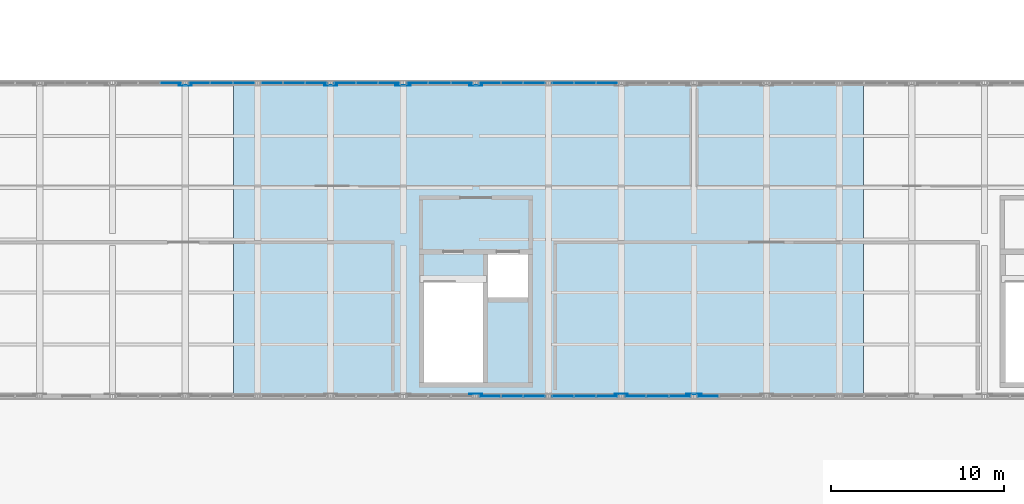
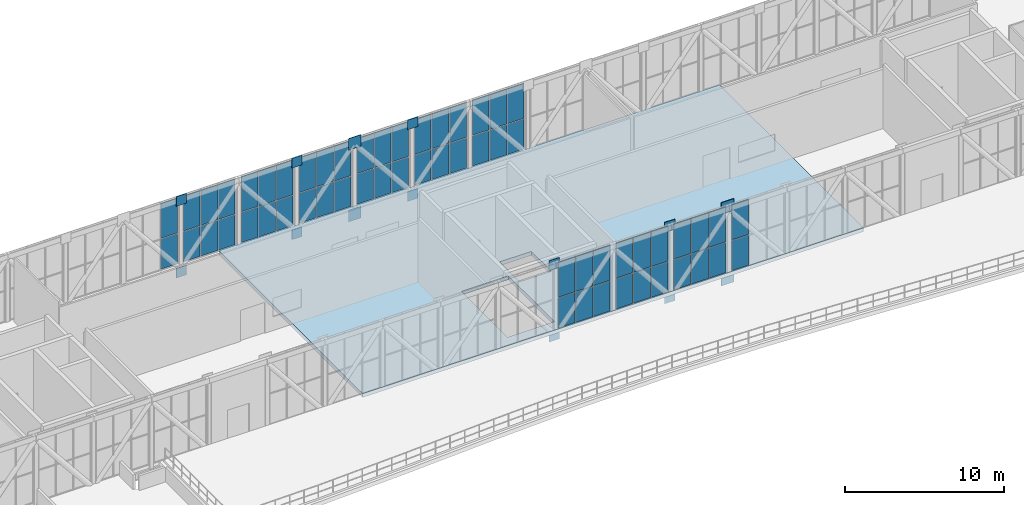
# One storey, part 48 of 58: 72 plates, 1 slab, 11 elements without a shape of their own.
"""IFC4 building model written with IfcOpenShell, lengths in metres."""

from ifc_helpers import new_model, si_unit, direction, frame, origin, origin_2d, place, context, subcontext, project, spatial, polyline, rectangle, outline, extrude, material, layer, layer_set, type_object, element, aggregate, save


model = new_model("IFC4")

# Units and contexts
model_context = context("Model", 3, precision=1e-05, world=origin(), true_north=direction((0.0, 1.0)))
body_context = subcontext(model_context, "Body", "Model", "MODEL_VIEW")
ifc_project = project(units=[si_unit("LENGTHUNIT", "METRE"), si_unit("AREAUNIT", "SQUARE_METRE"), si_unit("VOLUMEUNIT", "CUBIC_METRE"), si_unit("PLANEANGLEUNIT", "RADIAN"), si_unit("MASSUNIT", "GRAM", prefix="KILO")], contexts=[model_context])

# Site, building, storey
site_placement = place(None, origin())
site = spatial("IfcSite", under=ifc_project, at=site_placement, CompositionType="ELEMENT")
building_placement = place(site_placement, origin())
building = spatial("IfcBuilding", under=site, at=building_placement, Name="Khurvash Pelagic Aquarium", CompositionType="ELEMENT")
storey_placement = place(building_placement, frame((0.0, 0.0, 24.60009765625)))
storey = spatial("IfcBuildingStorey", under=building, at=storey_placement, Name="L05", CompositionType="ELEMENT", Elevation=24.60009765625)

# Curtain wall, plates
ifc_material_1 = material(Name="Anodised aluminium and low-E laminated glass", Category="aluminium")
curtain_wall_type = type_object("IfcCurtainWallType", Name="CW-01", PredefinedType="USERDEFINED", material=ifc_material_1)
curtain_wall_1_placement = place(storey_placement, origin())
curtain_wall_1 = element("IfcCurtainWall", 1, at=curtain_wall_1_placement, inside=storey, type_object=curtain_wall_type, Name="L05 South Sky-Bar Unitised Curtain Wall CW-01 P13", ObjectType="UNITISED CURTAIN WALL", PredefinedType="USERDEFINED")
ifc_material_2 = material(Name="Low-E laminated double glazing", Category="glass")
ifc_layer_1 = layer(ifc_material_2, 0.035888671875)
ifc_layer_set_1 = layer_set([ifc_layer_1], Name="Low-E laminated double glazing")
plate_type_1 = type_object("IfcPlateType", Name="CG-01", PredefinedType="CURTAIN_PANEL", material=ifc_layer_set_1)
plate_1_placement = place(storey_placement, frame((63.82177734375, 11.64990234375, 0.059814453125), z_axis=(0.0, 0.0, 1.0), x_axis=(1.0, 0.0, 0.0)))
plate_1 = element("IfcPlate", 2, at=plate_1_placement, type_object=plate_type_1, Name="CW-01 panel 1.1", PredefinedType="CURTAIN_PANEL", context=body_context, shape_type="SweptSolid", body=[
    extrude(rectangle(XDim=1.203369140625, YDim=0.035888671875, at=origin_2d()), origin(), (0.0, 0.0, 1.0), 2.31005859375),
])
plate_2_placement = place(storey_placement, frame((63.82177734375, 11.64990234375, 2.429931640625), z_axis=(0.0, 0.0, 1.0), x_axis=(1.0, 0.0, 0.0)))
plate_2 = element("IfcPlate", 3, at=plate_2_placement, type_object=plate_type_1, Name="CW-01 panel 1.2", PredefinedType="CURTAIN_PANEL", context=body_context, shape_type="SweptSolid", body=[
    extrude(rectangle(XDim=1.203369140625, YDim=0.035888671875, at=origin_2d()), origin(), (0.0, 0.0, 1.0), 2.68994140625),
])
plate_3_placement = place(storey_placement, frame((65.10009765625, 11.64990234375, 0.059814453125), z_axis=(0.0, 0.0, 1.0), x_axis=(1.0, 0.0, 0.0)))
plate_3 = element("IfcPlate", 4, at=plate_3_placement, type_object=plate_type_1, Name="CW-01 panel 2.1", PredefinedType="CURTAIN_PANEL", context=body_context, shape_type="SweptSolid", body=[
    extrude(rectangle(XDim=1.2333984375, YDim=0.035888671875, at=origin_2d()), origin(), (0.0, 0.0, 1.0), 2.31005859375),
])
plate_4_placement = place(storey_placement, frame((65.10009765625, 11.64990234375, 2.429931640625), z_axis=(0.0, 0.0, 1.0), x_axis=(1.0, 0.0, 0.0)))
plate_4 = element("IfcPlate", 5, at=plate_4_placement, type_object=plate_type_1, Name="CW-01 panel 2.2", PredefinedType="CURTAIN_PANEL", context=body_context, shape_type="SweptSolid", body=[
    extrude(rectangle(XDim=1.2333984375, YDim=0.035888671875, at=origin_2d()), origin(), (0.0, 0.0, 1.0), 2.68994140625),
])
plate_5_placement = place(storey_placement, frame((66.37841796875, 11.64990234375, 0.059814453125), z_axis=(0.0, 0.0, 1.0), x_axis=(1.0, 0.0, 0.0)))
plate_5 = element("IfcPlate", 6, at=plate_5_placement, type_object=plate_type_1, Name="CW-01 panel 3.1", PredefinedType="CURTAIN_PANEL", context=body_context, shape_type="SweptSolid", body=[
    extrude(rectangle(XDim=1.203369140625, YDim=0.035888671875, at=origin_2d()), origin(), (0.0, 0.0, 1.0), 2.31005859375),
])
plate_6_placement = place(storey_placement, frame((66.37841796875, 11.64990234375, 2.429931640625), z_axis=(0.0, 0.0, 1.0), x_axis=(1.0, 0.0, 0.0)))
plate_6 = element("IfcPlate", 7, at=plate_6_placement, type_object=plate_type_1, Name="CW-01 panel 3.2", PredefinedType="CURTAIN_PANEL", context=body_context, shape_type="SweptSolid", body=[
    extrude(rectangle(XDim=1.203369140625, YDim=0.035888671875, at=origin_2d()), origin(), (0.0, 0.0, 1.0), 2.68994140625),
])
aggregate(curtain_wall_1, [plate_1, plate_2, plate_3, plate_4, plate_5, plate_6])

curtain_wall_2_placement = place(storey_placement, origin())
curtain_wall_2 = element("IfcCurtainWall", 8, at=curtain_wall_2_placement, inside=storey, type_object=curtain_wall_type, Name="L05 South Sky-Bar Unitised Curtain Wall CW-01 P14", ObjectType="UNITISED CURTAIN WALL", PredefinedType="USERDEFINED")
plate_7_placement = place(storey_placement, frame((68.021728515625, 11.64990234375, 0.059814453125), z_axis=(0.0, 0.0, 1.0), x_axis=(1.0, 0.0, 0.0)))
plate_7 = element("IfcPlate", 9, at=plate_7_placement, type_object=plate_type_1, Name="CW-01 panel 1.1", PredefinedType="CURTAIN_PANEL", context=body_context, shape_type="SweptSolid", body=[
    extrude(rectangle(XDim=1.203369140625, YDim=0.035888671875, at=origin_2d()), origin(), (0.0, 0.0, 1.0), 2.31005859375),
])
plate_8_placement = place(storey_placement, frame((68.021728515625, 11.64990234375, 2.429931640625), z_axis=(0.0, 0.0, 1.0), x_axis=(1.0, 0.0, 0.0)))
plate_8 = element("IfcPlate", 10, at=plate_8_placement, type_object=plate_type_1, Name="CW-01 panel 1.2", PredefinedType="CURTAIN_PANEL", context=body_context, shape_type="SweptSolid", body=[
    extrude(rectangle(XDim=1.203369140625, YDim=0.035888671875, at=origin_2d()), origin(), (0.0, 0.0, 1.0), 2.68994140625),
])
plate_9_placement = place(storey_placement, frame((69.300048828125, 11.64990234375, 0.059814453125), z_axis=(0.0, 0.0, 1.0), x_axis=(1.0, 0.0, 0.0)))
plate_9 = element("IfcPlate", 11, at=plate_9_placement, type_object=plate_type_1, Name="CW-01 panel 2.1", PredefinedType="CURTAIN_PANEL", context=body_context, shape_type="SweptSolid", body=[
    extrude(rectangle(XDim=1.2333984375, YDim=0.035888671875, at=origin_2d()), origin(), (0.0, 0.0, 1.0), 2.31005859375),
])
plate_10_placement = place(storey_placement, frame((69.300048828125, 11.64990234375, 2.429931640625), z_axis=(0.0, 0.0, 1.0), x_axis=(1.0, 0.0, 0.0)))
plate_10 = element("IfcPlate", 12, at=plate_10_placement, type_object=plate_type_1, Name="CW-01 panel 2.2", PredefinedType="CURTAIN_PANEL", context=body_context, shape_type="SweptSolid", body=[
    extrude(rectangle(XDim=1.2333984375, YDim=0.035888671875, at=origin_2d()), origin(), (0.0, 0.0, 1.0), 2.68994140625),
])
plate_11_placement = place(storey_placement, frame((70.578369140625, 11.64990234375, 0.059814453125), z_axis=(0.0, 0.0, 1.0), x_axis=(1.0, 0.0, 0.0)))
plate_11 = element("IfcPlate", 13, at=plate_11_placement, type_object=plate_type_1, Name="CW-01 panel 3.1", PredefinedType="CURTAIN_PANEL", context=body_context, shape_type="SweptSolid", body=[
    extrude(rectangle(XDim=1.203369140625, YDim=0.035888671875, at=origin_2d()), origin(), (0.0, 0.0, 1.0), 2.31005859375),
])
plate_12_placement = place(storey_placement, frame((70.578369140625, 11.64990234375, 2.429931640625), z_axis=(0.0, 0.0, 1.0), x_axis=(1.0, 0.0, 0.0)))
plate_12 = element("IfcPlate", 14, at=plate_12_placement, type_object=plate_type_1, Name="CW-01 panel 3.2", PredefinedType="CURTAIN_PANEL", context=body_context, shape_type="SweptSolid", body=[
    extrude(rectangle(XDim=1.203369140625, YDim=0.035888671875, at=origin_2d()), origin(), (0.0, 0.0, 1.0), 2.68994140625),
])
aggregate(curtain_wall_2, [plate_7, plate_8, plate_9, plate_10, plate_11, plate_12])

curtain_wall_3_placement = place(storey_placement, origin())
curtain_wall_3 = element("IfcCurtainWall", 15, at=curtain_wall_3_placement, inside=storey, type_object=curtain_wall_type, Name="L05 South Sky-Bar Unitised Curtain Wall CW-01 P15", ObjectType="UNITISED CURTAIN WALL", PredefinedType="USERDEFINED")
plate_13_placement = place(storey_placement, frame((72.2216796875, 11.64990234375, 0.059814453125), z_axis=(0.0, 0.0, 1.0), x_axis=(1.0, 0.0, 0.0)))
plate_13 = element("IfcPlate", 16, at=plate_13_placement, type_object=plate_type_1, Name="CW-01 panel 1.1", PredefinedType="CURTAIN_PANEL", context=body_context, shape_type="SweptSolid", body=[
    extrude(rectangle(XDim=1.203369140625, YDim=0.035888671875, at=origin_2d()), origin(), (0.0, 0.0, 1.0), 2.31005859375),
])
plate_14_placement = place(storey_placement, frame((72.2216796875, 11.64990234375, 2.429931640625), z_axis=(0.0, 0.0, 1.0), x_axis=(1.0, 0.0, 0.0)))
plate_14 = element("IfcPlate", 17, at=plate_14_placement, type_object=plate_type_1, Name="CW-01 panel 1.2", PredefinedType="CURTAIN_PANEL", context=body_context, shape_type="SweptSolid", body=[
    extrude(rectangle(XDim=1.203369140625, YDim=0.035888671875, at=origin_2d()), origin(), (0.0, 0.0, 1.0), 2.68994140625),
])
plate_15_placement = place(storey_placement, frame((73.5, 11.64990234375, 0.059814453125), z_axis=(0.0, 0.0, 1.0), x_axis=(1.0, 0.0, 0.0)))
plate_15 = element("IfcPlate", 18, at=plate_15_placement, type_object=plate_type_1, Name="CW-01 panel 2.1", PredefinedType="CURTAIN_PANEL", context=body_context, shape_type="SweptSolid", body=[
    extrude(rectangle(XDim=1.2333984375, YDim=0.035888671875, at=origin_2d()), origin(), (0.0, 0.0, 1.0), 2.31005859375),
])
plate_16_placement = place(storey_placement, frame((73.5, 11.64990234375, 2.429931640625), z_axis=(0.0, 0.0, 1.0), x_axis=(1.0, 0.0, 0.0)))
plate_16 = element("IfcPlate", 19, at=plate_16_placement, type_object=plate_type_1, Name="CW-01 panel 2.2", PredefinedType="CURTAIN_PANEL", context=body_context, shape_type="SweptSolid", body=[
    extrude(rectangle(XDim=1.2333984375, YDim=0.035888671875, at=origin_2d()), origin(), (0.0, 0.0, 1.0), 2.68994140625),
])
plate_17_placement = place(storey_placement, frame((74.7783203125, 11.64990234375, 0.059814453125), z_axis=(0.0, 0.0, 1.0), x_axis=(1.0, 0.0, 0.0)))
plate_17 = element("IfcPlate", 20, at=plate_17_placement, type_object=plate_type_1, Name="CW-01 panel 3.1", PredefinedType="CURTAIN_PANEL", context=body_context, shape_type="SweptSolid", body=[
    extrude(rectangle(XDim=1.203369140625, YDim=0.035888671875, at=origin_2d()), origin(), (0.0, 0.0, 1.0), 2.31005859375),
])
plate_18_placement = place(storey_placement, frame((74.7783203125, 11.64990234375, 2.429931640625), z_axis=(0.0, 0.0, 1.0), x_axis=(1.0, 0.0, 0.0)))
plate_18 = element("IfcPlate", 21, at=plate_18_placement, type_object=plate_type_1, Name="CW-01 panel 3.2", PredefinedType="CURTAIN_PANEL", context=body_context, shape_type="SweptSolid", body=[
    extrude(rectangle(XDim=1.203369140625, YDim=0.035888671875, at=origin_2d()), origin(), (0.0, 0.0, 1.0), 2.68994140625),
])
aggregate(curtain_wall_3, [plate_13, plate_14, plate_15, plate_16, plate_17, plate_18])

curtain_wall_4_placement = place(storey_placement, origin())
curtain_wall_4 = element("IfcCurtainWall", 22, at=curtain_wall_4_placement, inside=storey, type_object=curtain_wall_type, Name="L05 South Sky-Bar Unitised Curtain Wall CW-01 P16", ObjectType="UNITISED CURTAIN WALL", PredefinedType="USERDEFINED")
plate_19_placement = place(storey_placement, frame((76.421630859375, 11.64990234375, 0.059814453125), z_axis=(0.0, 0.0, 1.0), x_axis=(1.0, 0.0, 0.0)))
plate_19 = element("IfcPlate", 23, at=plate_19_placement, type_object=plate_type_1, Name="CW-01 panel 1.1", PredefinedType="CURTAIN_PANEL", context=body_context, shape_type="SweptSolid", body=[
    extrude(rectangle(XDim=1.203369140625, YDim=0.035888671875, at=origin_2d()), origin(), (0.0, 0.0, 1.0), 2.31005859375),
])
plate_20_placement = place(storey_placement, frame((76.421630859375, 11.64990234375, 2.429931640625), z_axis=(0.0, 0.0, 1.0), x_axis=(1.0, 0.0, 0.0)))
plate_20 = element("IfcPlate", 24, at=plate_20_placement, type_object=plate_type_1, Name="CW-01 panel 1.2", PredefinedType="CURTAIN_PANEL", context=body_context, shape_type="SweptSolid", body=[
    extrude(rectangle(XDim=1.203369140625, YDim=0.035888671875, at=origin_2d()), origin(), (0.0, 0.0, 1.0), 2.68994140625),
])
aggregate(curtain_wall_4, [plate_19, plate_20])

curtain_wall_5_placement = place(storey_placement, origin())
curtain_wall_5 = element("IfcCurtainWall", 25, at=curtain_wall_5_placement, inside=storey, type_object=curtain_wall_type, Name="L05 North Sky-Bar Unitised Curtain Wall CW-01 P08", ObjectType="UNITISED CURTAIN WALL", PredefinedType="USERDEFINED")
plate_21_placement = place(storey_placement, frame((45.37841796875, 29.75, 0.059814453125), z_axis=(0.0, 0.0, 1.0), x_axis=(1.0, 0.0, 0.0)))
plate_21 = element("IfcPlate", 26, at=plate_21_placement, type_object=plate_type_1, Name="CW-01 panel 3.1", PredefinedType="CURTAIN_PANEL", context=body_context, shape_type="SweptSolid", body=[
    extrude(rectangle(XDim=1.203369140625, YDim=0.035888671875, at=origin_2d()), origin(), (0.0, 0.0, 1.0), 2.31005859375),
])
plate_22_placement = place(storey_placement, frame((45.37841796875, 29.75, 2.429931640625), z_axis=(0.0, 0.0, 1.0), x_axis=(1.0, 0.0, 0.0)))
plate_22 = element("IfcPlate", 27, at=plate_22_placement, type_object=plate_type_1, Name="CW-01 panel 3.2", PredefinedType="CURTAIN_PANEL", context=body_context, shape_type="SweptSolid", body=[
    extrude(rectangle(XDim=1.203369140625, YDim=0.035888671875, at=origin_2d()), origin(), (0.0, 0.0, 1.0), 2.68994140625),
])
aggregate(curtain_wall_5, [plate_21, plate_22])

curtain_wall_6_placement = place(storey_placement, origin())
curtain_wall_6 = element("IfcCurtainWall", 28, at=curtain_wall_6_placement, inside=storey, type_object=curtain_wall_type, Name="L05 North Sky-Bar Unitised Curtain Wall CW-01 P09", ObjectType="UNITISED CURTAIN WALL", PredefinedType="USERDEFINED")
plate_23_placement = place(storey_placement, frame((47.021728515625, 29.75, 0.059814453125), z_axis=(0.0, 0.0, 1.0), x_axis=(1.0, 0.0, 0.0)))
plate_23 = element("IfcPlate", 29, at=plate_23_placement, type_object=plate_type_1, Name="CW-01 panel 1.1", PredefinedType="CURTAIN_PANEL", context=body_context, shape_type="SweptSolid", body=[
    extrude(rectangle(XDim=1.203369140625, YDim=0.035888671875, at=origin_2d()), origin(), (0.0, 0.0, 1.0), 2.31005859375),
])
plate_24_placement = place(storey_placement, frame((47.021728515625, 29.75, 2.429931640625), z_axis=(0.0, 0.0, 1.0), x_axis=(1.0, 0.0, 0.0)))
plate_24 = element("IfcPlate", 30, at=plate_24_placement, type_object=plate_type_1, Name="CW-01 panel 1.2", PredefinedType="CURTAIN_PANEL", context=body_context, shape_type="SweptSolid", body=[
    extrude(rectangle(XDim=1.203369140625, YDim=0.035888671875, at=origin_2d()), origin(), (0.0, 0.0, 1.0), 2.68994140625),
])
plate_25_placement = place(storey_placement, frame((48.300048828125, 29.75, 0.059814453125), z_axis=(0.0, 0.0, 1.0), x_axis=(1.0, 0.0, 0.0)))
plate_25 = element("IfcPlate", 31, at=plate_25_placement, type_object=plate_type_1, Name="CW-01 panel 2.1", PredefinedType="CURTAIN_PANEL", context=body_context, shape_type="SweptSolid", body=[
    extrude(rectangle(XDim=1.2333984375, YDim=0.035888671875, at=origin_2d()), origin(), (0.0, 0.0, 1.0), 2.31005859375),
])
plate_26_placement = place(storey_placement, frame((48.300048828125, 29.75, 2.429931640625), z_axis=(0.0, 0.0, 1.0), x_axis=(1.0, 0.0, 0.0)))
plate_26 = element("IfcPlate", 32, at=plate_26_placement, type_object=plate_type_1, Name="CW-01 panel 2.2", PredefinedType="CURTAIN_PANEL", context=body_context, shape_type="SweptSolid", body=[
    extrude(rectangle(XDim=1.2333984375, YDim=0.035888671875, at=origin_2d()), origin(), (0.0, 0.0, 1.0), 2.68994140625),
])
plate_27_placement = place(storey_placement, frame((49.578369140625, 29.75, 0.059814453125), z_axis=(0.0, 0.0, 1.0), x_axis=(1.0, 0.0, 0.0)))
plate_27 = element("IfcPlate", 33, at=plate_27_placement, type_object=plate_type_1, Name="CW-01 panel 3.1", PredefinedType="CURTAIN_PANEL", context=body_context, shape_type="SweptSolid", body=[
    extrude(rectangle(XDim=1.203369140625, YDim=0.035888671875, at=origin_2d()), origin(), (0.0, 0.0, 1.0), 2.31005859375),
])
plate_28_placement = place(storey_placement, frame((49.578369140625, 29.75, 2.429931640625), z_axis=(0.0, 0.0, 1.0), x_axis=(1.0, 0.0, 0.0)))
plate_28 = element("IfcPlate", 34, at=plate_28_placement, type_object=plate_type_1, Name="CW-01 panel 3.2", PredefinedType="CURTAIN_PANEL", context=body_context, shape_type="SweptSolid", body=[
    extrude(rectangle(XDim=1.203369140625, YDim=0.035888671875, at=origin_2d()), origin(), (0.0, 0.0, 1.0), 2.68994140625),
])
aggregate(curtain_wall_6, [plate_23, plate_24, plate_25, plate_26, plate_27, plate_28])

curtain_wall_7_placement = place(storey_placement, origin())
curtain_wall_7 = element("IfcCurtainWall", 35, at=curtain_wall_7_placement, inside=storey, type_object=curtain_wall_type, Name="L05 North Sky-Bar Unitised Curtain Wall CW-01 P10", ObjectType="UNITISED CURTAIN WALL", PredefinedType="USERDEFINED")
plate_29_placement = place(storey_placement, frame((51.2216796875, 29.75, 0.059814453125), z_axis=(0.0, 0.0, 1.0), x_axis=(1.0, 0.0, 0.0)))
plate_29 = element("IfcPlate", 36, at=plate_29_placement, type_object=plate_type_1, Name="CW-01 panel 1.1", PredefinedType="CURTAIN_PANEL", context=body_context, shape_type="SweptSolid", body=[
    extrude(rectangle(XDim=1.203369140625, YDim=0.035888671875, at=origin_2d()), origin(), (0.0, 0.0, 1.0), 2.31005859375),
])
plate_30_placement = place(storey_placement, frame((51.2216796875, 29.75, 2.429931640625), z_axis=(0.0, 0.0, 1.0), x_axis=(1.0, 0.0, 0.0)))
plate_30 = element("IfcPlate", 37, at=plate_30_placement, type_object=plate_type_1, Name="CW-01 panel 1.2", PredefinedType="CURTAIN_PANEL", context=body_context, shape_type="SweptSolid", body=[
    extrude(rectangle(XDim=1.203369140625, YDim=0.035888671875, at=origin_2d()), origin(), (0.0, 0.0, 1.0), 2.68994140625),
])
plate_31_placement = place(storey_placement, frame((52.5, 29.75, 0.059814453125), z_axis=(0.0, 0.0, 1.0), x_axis=(1.0, 0.0, 0.0)))
plate_31 = element("IfcPlate", 38, at=plate_31_placement, type_object=plate_type_1, Name="CW-01 panel 2.1", PredefinedType="CURTAIN_PANEL", context=body_context, shape_type="SweptSolid", body=[
    extrude(rectangle(XDim=1.2333984375, YDim=0.035888671875, at=origin_2d()), origin(), (0.0, 0.0, 1.0), 2.31005859375),
])
plate_32_placement = place(storey_placement, frame((52.5, 29.75, 2.429931640625), z_axis=(0.0, 0.0, 1.0), x_axis=(1.0, 0.0, 0.0)))
plate_32 = element("IfcPlate", 39, at=plate_32_placement, type_object=plate_type_1, Name="CW-01 panel 2.2", PredefinedType="CURTAIN_PANEL", context=body_context, shape_type="SweptSolid", body=[
    extrude(rectangle(XDim=1.2333984375, YDim=0.035888671875, at=origin_2d()), origin(), (0.0, 0.0, 1.0), 2.68994140625),
])
plate_33_placement = place(storey_placement, frame((53.7783203125, 29.75, 0.059814453125), z_axis=(0.0, 0.0, 1.0), x_axis=(1.0, 0.0, 0.0)))
plate_33 = element("IfcPlate", 40, at=plate_33_placement, type_object=plate_type_1, Name="CW-01 panel 3.1", PredefinedType="CURTAIN_PANEL", context=body_context, shape_type="SweptSolid", body=[
    extrude(rectangle(XDim=1.203369140625, YDim=0.035888671875, at=origin_2d()), origin(), (0.0, 0.0, 1.0), 2.31005859375),
])
plate_34_placement = place(storey_placement, frame((53.7783203125, 29.75, 2.429931640625), z_axis=(0.0, 0.0, 1.0), x_axis=(1.0, 0.0, 0.0)))
plate_34 = element("IfcPlate", 41, at=plate_34_placement, type_object=plate_type_1, Name="CW-01 panel 3.2", PredefinedType="CURTAIN_PANEL", context=body_context, shape_type="SweptSolid", body=[
    extrude(rectangle(XDim=1.203369140625, YDim=0.035888671875, at=origin_2d()), origin(), (0.0, 0.0, 1.0), 2.68994140625),
])
aggregate(curtain_wall_7, [plate_29, plate_30, plate_31, plate_32, plate_33, plate_34])

curtain_wall_8_placement = place(storey_placement, origin())
curtain_wall_8 = element("IfcCurtainWall", 42, at=curtain_wall_8_placement, inside=storey, type_object=curtain_wall_type, Name="L05 North Sky-Bar Unitised Curtain Wall CW-01 P11", ObjectType="UNITISED CURTAIN WALL", PredefinedType="USERDEFINED")
plate_35_placement = place(storey_placement, frame((55.421630859375, 29.75, 0.059814453125), z_axis=(0.0, 0.0, 1.0), x_axis=(1.0, 0.0, 0.0)))
plate_35 = element("IfcPlate", 43, at=plate_35_placement, type_object=plate_type_1, Name="CW-01 panel 1.1", PredefinedType="CURTAIN_PANEL", context=body_context, shape_type="SweptSolid", body=[
    extrude(rectangle(XDim=1.203369140625, YDim=0.035888671875, at=origin_2d()), origin(), (0.0, 0.0, 1.0), 2.31005859375),
])
plate_36_placement = place(storey_placement, frame((55.421630859375, 29.75, 2.429931640625), z_axis=(0.0, 0.0, 1.0), x_axis=(1.0, 0.0, 0.0)))
plate_36 = element("IfcPlate", 44, at=plate_36_placement, type_object=plate_type_1, Name="CW-01 panel 1.2", PredefinedType="CURTAIN_PANEL", context=body_context, shape_type="SweptSolid", body=[
    extrude(rectangle(XDim=1.203369140625, YDim=0.035888671875, at=origin_2d()), origin(), (0.0, 0.0, 1.0), 2.68994140625),
])
plate_37_placement = place(storey_placement, frame((56.699951171875, 29.75, 0.059814453125), z_axis=(0.0, 0.0, 1.0), x_axis=(1.0, 0.0, 0.0)))
plate_37 = element("IfcPlate", 45, at=plate_37_placement, type_object=plate_type_1, Name="CW-01 panel 2.1", PredefinedType="CURTAIN_PANEL", context=body_context, shape_type="SweptSolid", body=[
    extrude(rectangle(XDim=1.2333984375, YDim=0.035888671875, at=origin_2d()), origin(), (0.0, 0.0, 1.0), 2.31005859375),
])
plate_38_placement = place(storey_placement, frame((56.699951171875, 29.75, 2.429931640625), z_axis=(0.0, 0.0, 1.0), x_axis=(1.0, 0.0, 0.0)))
plate_38 = element("IfcPlate", 46, at=plate_38_placement, type_object=plate_type_1, Name="CW-01 panel 2.2", PredefinedType="CURTAIN_PANEL", context=body_context, shape_type="SweptSolid", body=[
    extrude(rectangle(XDim=1.2333984375, YDim=0.035888671875, at=origin_2d()), origin(), (0.0, 0.0, 1.0), 2.68994140625),
])
plate_39_placement = place(storey_placement, frame((57.978271484375, 29.75, 0.059814453125), z_axis=(0.0, 0.0, 1.0), x_axis=(1.0, 0.0, 0.0)))
plate_39 = element("IfcPlate", 47, at=plate_39_placement, type_object=plate_type_1, Name="CW-01 panel 3.1", PredefinedType="CURTAIN_PANEL", context=body_context, shape_type="SweptSolid", body=[
    extrude(rectangle(XDim=1.203369140625, YDim=0.035888671875, at=origin_2d()), origin(), (0.0, 0.0, 1.0), 2.31005859375),
])
plate_40_placement = place(storey_placement, frame((57.978271484375, 29.75, 2.429931640625), z_axis=(0.0, 0.0, 1.0), x_axis=(1.0, 0.0, 0.0)))
plate_40 = element("IfcPlate", 48, at=plate_40_placement, type_object=plate_type_1, Name="CW-01 panel 3.2", PredefinedType="CURTAIN_PANEL", context=body_context, shape_type="SweptSolid", body=[
    extrude(rectangle(XDim=1.203369140625, YDim=0.035888671875, at=origin_2d()), origin(), (0.0, 0.0, 1.0), 2.68994140625),
])
aggregate(curtain_wall_8, [plate_35, plate_36, plate_37, plate_38, plate_39, plate_40])

curtain_wall_9_placement = place(storey_placement, origin())
curtain_wall_9 = element("IfcCurtainWall", 49, at=curtain_wall_9_placement, inside=storey, type_object=curtain_wall_type, Name="L05 North Sky-Bar Unitised Curtain Wall CW-01 P12", ObjectType="UNITISED CURTAIN WALL", PredefinedType="USERDEFINED")
plate_41_placement = place(storey_placement, frame((59.62158203125, 29.75, 0.059814453125), z_axis=(0.0, 0.0, 1.0), x_axis=(1.0, 0.0, 0.0)))
plate_41 = element("IfcPlate", 50, at=plate_41_placement, type_object=plate_type_1, Name="CW-01 panel 1.1", PredefinedType="CURTAIN_PANEL", context=body_context, shape_type="SweptSolid", body=[
    extrude(rectangle(XDim=1.203369140625, YDim=0.035888671875, at=origin_2d()), origin(), (0.0, 0.0, 1.0), 2.31005859375),
])
plate_42_placement = place(storey_placement, frame((59.62158203125, 29.75, 2.429931640625), z_axis=(0.0, 0.0, 1.0), x_axis=(1.0, 0.0, 0.0)))
plate_42 = element("IfcPlate", 51, at=plate_42_placement, type_object=plate_type_1, Name="CW-01 panel 1.2", PredefinedType="CURTAIN_PANEL", context=body_context, shape_type="SweptSolid", body=[
    extrude(rectangle(XDim=1.203369140625, YDim=0.035888671875, at=origin_2d()), origin(), (0.0, 0.0, 1.0), 2.68994140625),
])
plate_43_placement = place(storey_placement, frame((60.89990234375, 29.75, 0.059814453125), z_axis=(0.0, 0.0, 1.0), x_axis=(1.0, 0.0, 0.0)))
plate_43 = element("IfcPlate", 52, at=plate_43_placement, type_object=plate_type_1, Name="CW-01 panel 2.1", PredefinedType="CURTAIN_PANEL", context=body_context, shape_type="SweptSolid", body=[
    extrude(rectangle(XDim=1.2333984375, YDim=0.035888671875, at=origin_2d()), origin(), (0.0, 0.0, 1.0), 2.31005859375),
])
plate_44_placement = place(storey_placement, frame((60.89990234375, 29.75, 2.429931640625), z_axis=(0.0, 0.0, 1.0), x_axis=(1.0, 0.0, 0.0)))
plate_44 = element("IfcPlate", 53, at=plate_44_placement, type_object=plate_type_1, Name="CW-01 panel 2.2", PredefinedType="CURTAIN_PANEL", context=body_context, shape_type="SweptSolid", body=[
    extrude(rectangle(XDim=1.2333984375, YDim=0.035888671875, at=origin_2d()), origin(), (0.0, 0.0, 1.0), 2.68994140625),
])
plate_45_placement = place(storey_placement, frame((62.17822265625, 29.75, 0.059814453125), z_axis=(0.0, 0.0, 1.0), x_axis=(1.0, 0.0, 0.0)))
plate_45 = element("IfcPlate", 54, at=plate_45_placement, type_object=plate_type_1, Name="CW-01 panel 3.1", PredefinedType="CURTAIN_PANEL", context=body_context, shape_type="SweptSolid", body=[
    extrude(rectangle(XDim=1.203369140625, YDim=0.035888671875, at=origin_2d()), origin(), (0.0, 0.0, 1.0), 2.31005859375),
])
plate_46_placement = place(storey_placement, frame((62.17822265625, 29.75, 2.429931640625), z_axis=(0.0, 0.0, 1.0), x_axis=(1.0, 0.0, 0.0)))
plate_46 = element("IfcPlate", 55, at=plate_46_placement, type_object=plate_type_1, Name="CW-01 panel 3.2", PredefinedType="CURTAIN_PANEL", context=body_context, shape_type="SweptSolid", body=[
    extrude(rectangle(XDim=1.203369140625, YDim=0.035888671875, at=origin_2d()), origin(), (0.0, 0.0, 1.0), 2.68994140625),
])
aggregate(curtain_wall_9, [plate_41, plate_42, plate_43, plate_44, plate_45, plate_46])

curtain_wall_10_placement = place(storey_placement, origin())
curtain_wall_10 = element("IfcCurtainWall", 56, at=curtain_wall_10_placement, inside=storey, type_object=curtain_wall_type, Name="L05 North Sky-Bar Unitised Curtain Wall CW-01 P13", ObjectType="UNITISED CURTAIN WALL", PredefinedType="USERDEFINED")
plate_47_placement = place(storey_placement, frame((63.82177734375, 29.75, 0.059814453125), z_axis=(0.0, 0.0, 1.0), x_axis=(1.0, 0.0, 0.0)))
plate_47 = element("IfcPlate", 57, at=plate_47_placement, type_object=plate_type_1, Name="CW-01 panel 1.1", PredefinedType="CURTAIN_PANEL", context=body_context, shape_type="SweptSolid", body=[
    extrude(rectangle(XDim=1.203369140625, YDim=0.035888671875, at=origin_2d()), origin(), (0.0, 0.0, 1.0), 2.31005859375),
])
plate_48_placement = place(storey_placement, frame((63.82177734375, 29.75, 2.429931640625), z_axis=(0.0, 0.0, 1.0), x_axis=(1.0, 0.0, 0.0)))
plate_48 = element("IfcPlate", 58, at=plate_48_placement, type_object=plate_type_1, Name="CW-01 panel 1.2", PredefinedType="CURTAIN_PANEL", context=body_context, shape_type="SweptSolid", body=[
    extrude(rectangle(XDim=1.203369140625, YDim=0.035888671875, at=origin_2d()), origin(), (0.0, 0.0, 1.0), 2.68994140625),
])
plate_49_placement = place(storey_placement, frame((65.10009765625, 29.75, 0.059814453125), z_axis=(0.0, 0.0, 1.0), x_axis=(1.0, 0.0, 0.0)))
plate_49 = element("IfcPlate", 59, at=plate_49_placement, type_object=plate_type_1, Name="CW-01 panel 2.1", PredefinedType="CURTAIN_PANEL", context=body_context, shape_type="SweptSolid", body=[
    extrude(rectangle(XDim=1.2333984375, YDim=0.035888671875, at=origin_2d()), origin(), (0.0, 0.0, 1.0), 2.31005859375),
])
plate_50_placement = place(storey_placement, frame((65.10009765625, 29.75, 2.429931640625), z_axis=(0.0, 0.0, 1.0), x_axis=(1.0, 0.0, 0.0)))
plate_50 = element("IfcPlate", 60, at=plate_50_placement, type_object=plate_type_1, Name="CW-01 panel 2.2", PredefinedType="CURTAIN_PANEL", context=body_context, shape_type="SweptSolid", body=[
    extrude(rectangle(XDim=1.2333984375, YDim=0.035888671875, at=origin_2d()), origin(), (0.0, 0.0, 1.0), 2.68994140625),
])
plate_51_placement = place(storey_placement, frame((66.37841796875, 29.75, 0.059814453125), z_axis=(0.0, 0.0, 1.0), x_axis=(1.0, 0.0, 0.0)))
plate_51 = element("IfcPlate", 61, at=plate_51_placement, type_object=plate_type_1, Name="CW-01 panel 3.1", PredefinedType="CURTAIN_PANEL", context=body_context, shape_type="SweptSolid", body=[
    extrude(rectangle(XDim=1.203369140625, YDim=0.035888671875, at=origin_2d()), origin(), (0.0, 0.0, 1.0), 2.31005859375),
])
plate_52_placement = place(storey_placement, frame((66.37841796875, 29.75, 2.429931640625), z_axis=(0.0, 0.0, 1.0), x_axis=(1.0, 0.0, 0.0)))
plate_52 = element("IfcPlate", 62, at=plate_52_placement, type_object=plate_type_1, Name="CW-01 panel 3.2", PredefinedType="CURTAIN_PANEL", context=body_context, shape_type="SweptSolid", body=[
    extrude(rectangle(XDim=1.203369140625, YDim=0.035888671875, at=origin_2d()), origin(), (0.0, 0.0, 1.0), 2.68994140625),
])
aggregate(curtain_wall_10, [plate_47, plate_48, plate_49, plate_50, plate_51, plate_52])

curtain_wall_11_placement = place(storey_placement, origin())
curtain_wall_11 = element("IfcCurtainWall", 63, at=curtain_wall_11_placement, inside=storey, type_object=curtain_wall_type, Name="L05 North Sky-Bar Unitised Curtain Wall CW-01 P14", ObjectType="UNITISED CURTAIN WALL", PredefinedType="USERDEFINED")
plate_53_placement = place(storey_placement, frame((68.021728515625, 29.75, 0.059814453125), z_axis=(0.0, 0.0, 1.0), x_axis=(1.0, 0.0, 0.0)))
plate_53 = element("IfcPlate", 64, at=plate_53_placement, type_object=plate_type_1, Name="CW-01 panel 1.1", PredefinedType="CURTAIN_PANEL", context=body_context, shape_type="SweptSolid", body=[
    extrude(rectangle(XDim=1.203369140625, YDim=0.035888671875, at=origin_2d()), origin(), (0.0, 0.0, 1.0), 2.31005859375),
])
plate_54_placement = place(storey_placement, frame((68.021728515625, 29.75, 2.429931640625), z_axis=(0.0, 0.0, 1.0), x_axis=(1.0, 0.0, 0.0)))
plate_54 = element("IfcPlate", 65, at=plate_54_placement, type_object=plate_type_1, Name="CW-01 panel 1.2", PredefinedType="CURTAIN_PANEL", context=body_context, shape_type="SweptSolid", body=[
    extrude(rectangle(XDim=1.203369140625, YDim=0.035888671875, at=origin_2d()), origin(), (0.0, 0.0, 1.0), 2.68994140625),
])
plate_55_placement = place(storey_placement, frame((69.300048828125, 29.75, 0.059814453125), z_axis=(0.0, 0.0, 1.0), x_axis=(1.0, 0.0, 0.0)))
plate_55 = element("IfcPlate", 66, at=plate_55_placement, type_object=plate_type_1, Name="CW-01 panel 2.1", PredefinedType="CURTAIN_PANEL", context=body_context, shape_type="SweptSolid", body=[
    extrude(rectangle(XDim=1.2333984375, YDim=0.035888671875, at=origin_2d()), origin(), (0.0, 0.0, 1.0), 2.31005859375),
])
plate_56_placement = place(storey_placement, frame((69.300048828125, 29.75, 2.429931640625), z_axis=(0.0, 0.0, 1.0), x_axis=(1.0, 0.0, 0.0)))
plate_56 = element("IfcPlate", 67, at=plate_56_placement, type_object=plate_type_1, Name="CW-01 panel 2.2", PredefinedType="CURTAIN_PANEL", context=body_context, shape_type="SweptSolid", body=[
    extrude(rectangle(XDim=1.2333984375, YDim=0.035888671875, at=origin_2d()), origin(), (0.0, 0.0, 1.0), 2.68994140625),
])
plate_57_placement = place(storey_placement, frame((70.578369140625, 29.75, 0.059814453125), z_axis=(0.0, 0.0, 1.0), x_axis=(1.0, 0.0, 0.0)))
plate_57 = element("IfcPlate", 68, at=plate_57_placement, type_object=plate_type_1, Name="CW-01 panel 3.1", PredefinedType="CURTAIN_PANEL", context=body_context, shape_type="SweptSolid", body=[
    extrude(rectangle(XDim=1.203369140625, YDim=0.035888671875, at=origin_2d()), origin(), (0.0, 0.0, 1.0), 2.31005859375),
])
plate_58_placement = place(storey_placement, frame((70.578369140625, 29.75, 2.429931640625), z_axis=(0.0, 0.0, 1.0), x_axis=(1.0, 0.0, 0.0)))
plate_58 = element("IfcPlate", 69, at=plate_58_placement, type_object=plate_type_1, Name="CW-01 panel 3.2", PredefinedType="CURTAIN_PANEL", context=body_context, shape_type="SweptSolid", body=[
    extrude(rectangle(XDim=1.203369140625, YDim=0.035888671875, at=origin_2d()), origin(), (0.0, 0.0, 1.0), 2.68994140625),
])
aggregate(curtain_wall_11, [plate_53, plate_54, plate_55, plate_56, plate_57, plate_58])

# Slab
ifc_material_3 = material(Name="Concrete C40/50", Category="concrete")
ifc_layer_2 = layer(ifc_material_3, 0.300048828125)
ifc_layer_set_2 = layer_set([ifc_layer_2], Name="Concrete C40/50")
slab_type = type_object("IfcSlabType", Name="FS-300", PredefinedType="FLOOR", material=ifc_layer_set_2)
slab_placement = place(storey_placement, frame((0.0, 0.0, -0.300048828125)))
element("IfcSlab", 70, at=slab_placement, inside=storey, type_object=slab_type, Name="L05 Structural Floor Slab FS-300 V2_BAR.2", PredefinedType="FLOOR", context=body_context, shape_type="SweptSolid", body=[
    extrude(outline(polyline([(85.39990234375, 11.64990234375), (85.39990234375, 29.75), (49.0, 29.75), (49.0, 11.64990234375), (85.39990234375, 11.64990234375)]), holes=[polyline([(60.0, 12.449951171875), (60.0, 18.25), (63.39990234375, 18.25), (63.39990234375, 12.449951171875), (60.0, 12.449951171875)]), polyline([(66.0, 17.35009765625), (63.699951171875, 17.35009765625), (63.699951171875, 19.85009765625), (66.0, 19.85009765625), (66.0, 17.35009765625)])]), origin(), (0.0, 0.0, 1.0), 0.300048828125),
])

# Plates
ifc_material_4 = material(Name="Steel S355J2", Category="steel")
ifc_layer_3 = layer(ifc_material_4, 0.028076171875)
ifc_layer_set_3 = layer_set([ifc_layer_3], Name="Steel S355J2")
plate_type_2 = type_object("IfcPlateType", Name="ND-01", PredefinedType="USERDEFINED", material=ifc_layer_set_3)
for number, where, z_axis, x_axis, name in (
    (71, (75.60009765625, 11.7900390625, -0.97509765625), (0.0, 0.0, 1.0), (1.0, 0.0, 0.0), "L05 South Truss Bot Gusset Plate ND-01 N16"),
    (72, (75.60009765625, 11.7900390625, 4.530029296875), (0.0, 0.0, 1.0), (1.0, 0.0, 0.0), "L05 South Truss Top Gusset Plate ND-01 N16"),
    (73, (58.800048828125, 29.610107421875, -0.97509765625), (0.0, 0.0, 1.0), (1.0, 0.0, 0.0), "L05 North Truss Bot Gusset Plate ND-01 N12"),
    (74, (58.800048828125, 29.610107421875, 4.530029296875), (0.0, 0.0, 1.0), (1.0, 0.0, 0.0), "L05 North Truss Top Gusset Plate ND-01 N12"),
):
    element("IfcPlate", number, at=place(storey_placement, frame(where, z_axis=z_axis, x_axis=x_axis)), inside=storey, type_object=plate_type_2, Name=name, ObjectType="GUSSET PLATE", PredefinedType="USERDEFINED", context=body_context, shape_type="SweptSolid", body=[
        extrude(rectangle(XDim=0.89990234375, YDim=0.028076171875, at=origin_2d()), origin(), (0.0, 0.0, 1.0), 0.89990234375),
    ])
ifc_layer_4 = layer(ifc_material_4, 0.02392578125)
ifc_layer_set_4 = layer_set([ifc_layer_4], Name="Steel S355J2")
plate_type_3 = type_object("IfcPlateType", Name="ND-02", PredefinedType="USERDEFINED", material=ifc_layer_set_4)
for number, where, z_axis, x_axis, name in (
    (75, (63.0, 11.7900390625, -0.900146484375), (0.0, 0.0, 1.0), (1.0, 0.0, 0.0), "L05 South Truss Bot Gusset Plate ND-02 N13"),
    (76, (63.0, 11.7900390625, 4.60498046875), (0.0, 0.0, 1.0), (1.0, 0.0, 0.0), "L05 South Truss Top Gusset Plate ND-02 N13"),
    (77, (71.39990234375, 11.7900390625, -0.900146484375), (0.0, 0.0, 1.0), (1.0, 0.0, 0.0), "L05 South Truss Bot Gusset Plate ND-02 N15"),
    (78, (71.39990234375, 11.7900390625, 4.60498046875), (0.0, 0.0, 1.0), (1.0, 0.0, 0.0), "L05 South Truss Top Gusset Plate ND-02 N15"),
    (79, (46.199951171875, 29.610107421875, -0.900146484375), (0.0, 0.0, 1.0), (1.0, 0.0, 0.0), "L05 North Truss Bot Gusset Plate ND-02 N09"),
    (80, (46.199951171875, 29.610107421875, 4.60498046875), (0.0, 0.0, 1.0), (1.0, 0.0, 0.0), "L05 North Truss Top Gusset Plate ND-02 N09"),
    (81, (54.60009765625, 29.610107421875, -0.900146484375), (0.0, 0.0, 1.0), (1.0, 0.0, 0.0), "L05 North Truss Bot Gusset Plate ND-02 N11"),
    (82, (54.60009765625, 29.610107421875, 4.60498046875), (0.0, 0.0, 1.0), (1.0, 0.0, 0.0), "L05 North Truss Top Gusset Plate ND-02 N11"),
    (83, (63.0, 29.610107421875, -0.900146484375), (0.0, 0.0, 1.0), (1.0, 0.0, 0.0), "L05 North Truss Bot Gusset Plate ND-02 N13"),
    (84, (63.0, 29.610107421875, 4.60498046875), (0.0, 0.0, 1.0), (1.0, 0.0, 0.0), "L05 North Truss Top Gusset Plate ND-02 N13"),
):
    element("IfcPlate", number, at=place(storey_placement, frame(where, z_axis=z_axis, x_axis=x_axis)), inside=storey, type_object=plate_type_3, Name=name, ObjectType="GUSSET PLATE", PredefinedType="USERDEFINED", context=body_context, shape_type="SweptSolid", body=[
        extrude(rectangle(XDim=0.75, YDim=0.02392578125, at=origin_2d()), origin(), (0.0, 0.0, 1.0), 0.75),
    ])

save(model, "model.ifc")
